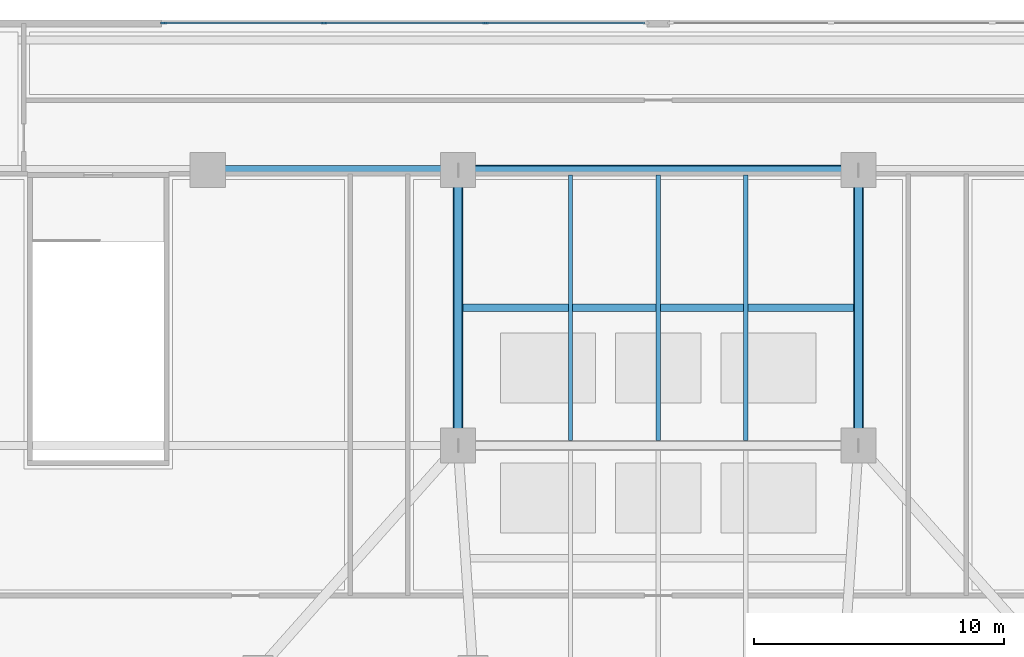
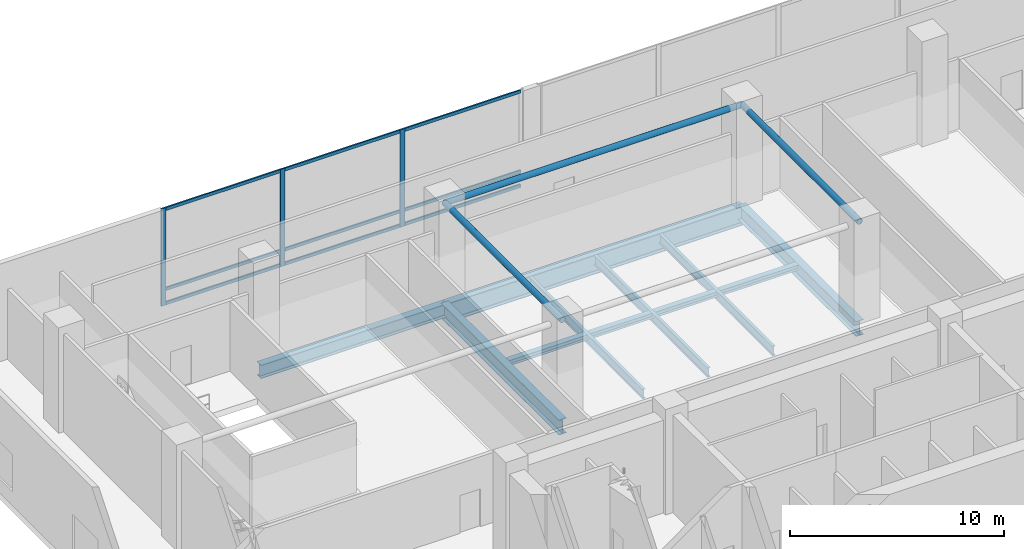
# One storey, part 3 of 16: 15 members, 8 beams, 1 element without a shape of its own.
"""IFC4 building model written with IfcOpenShell, lengths in metres."""

from ifc_helpers import new_model, si_unit, direction, frame, origin, origin_2d, place, context, subcontext, project, spatial, rectangle, hollow_circle, i_section, extrude, material, material_profile, profile_set, type_object, element, aggregate, save


model = new_model("IFC4")

# Units and contexts
model_context = context("Model", 3, precision=1e-05, world=origin(), true_north=direction((0.0, 1.0)))
body_context = subcontext(model_context, "Body", "Model", "MODEL_VIEW")
ifc_project = project(units=[si_unit("LENGTHUNIT", "METRE"), si_unit("AREAUNIT", "SQUARE_METRE"), si_unit("VOLUMEUNIT", "CUBIC_METRE"), si_unit("PLANEANGLEUNIT", "RADIAN"), si_unit("MASSUNIT", "GRAM", prefix="KILO")], contexts=[model_context])

# Site, building, storey
site_placement = place(None, origin())
site = spatial("IfcSite", under=ifc_project, at=site_placement, CompositionType="ELEMENT")
building_placement = place(site_placement, origin())
building = spatial("IfcBuilding", under=site, at=building_placement, Name="Solmavex Isthmus Hotel", CompositionType="ELEMENT")
storey_placement = place(building_placement, frame((0.0, 0.0, 20.39990234375)))
storey = spatial("IfcBuildingStorey", under=building, at=storey_placement, Name="L05", CompositionType="ELEMENT", Elevation=20.39990234375)

# Beams
ifc_material_1 = material(Name="Steel ASTM A992 Grade 50", Category="steel")
ifc_material_profile_1 = material_profile(ifc_material_1, i_section(OverallWidth=0.380615234375, OverallDepth=0.773193359375, WebThickness=0.0166015625, FlangeThickness=0.027099609375, FilletRadius=0.01904296875, at=origin_2d()), Name="W30X173")
ifc_profile_set_1 = profile_set([ifc_material_profile_1], Name="Steel ASTM A992 Grade 50")
beam_type_1 = type_object("IfcBeamType", Name="BM-BG-W30X173", PredefinedType="BEAM", material=ifc_profile_set_1)
beam_1_placement = place(storey_placement, frame((-18.0, 17.5, -0.736572265625), z_axis=(1.0, 0.0, 0.0), x_axis=(0.0, 1.0, 0.0)))
element("IfcBeam", 1, at=beam_1_placement, inside=storey, type_object=beam_type_1, Name="Podium Primary Girder L05-G08", PredefinedType="BEAM", context=body_context, shape_type="SweptSolid", body=[
    extrude(i_section(OverallWidth=0.380615234375, OverallDepth=0.773193359375, WebThickness=0.0166015625, FlangeThickness=0.027099609375, FilletRadius=0.01904296875, at=origin_2d()), origin(), (0.0, 0.0, 1.0), 10.0),
])
ifc_material_profile_2 = material_profile(ifc_material_1, i_section(OverallWidth=0.39990234375, OverallDepth=0.85546875, WebThickness=0.018310546875, FlangeThickness=0.029296875, FilletRadius=0.020263671875, at=origin_2d()), Name="W33X201")
ifc_profile_set_2 = profile_set([ifc_material_profile_2], Name="Steel ASTM A992 Grade 50")
beam_type_2 = type_object("IfcBeamType", Name="BM-BG-W33X201", PredefinedType="BEAM", material=ifc_profile_set_2)
for number, where, z_axis, x_axis, name in (
    (2, (-8.0, 6.5, -0.777587890625), (0.0, 1.0, 0.0), (-1.0, 0.0, 0.0), "Podium Primary Girder L05-G29"),
    (3, (8.0, 6.5, -0.777587890625), (0.0, 1.0, 0.0), (-1.0, 0.0, 0.0), "Podium Primary Girder L05-G30"),
):
    element("IfcBeam", number, at=place(storey_placement, frame(where, z_axis=z_axis, x_axis=x_axis)), inside=storey, type_object=beam_type_2, Name=name, PredefinedType="BEAM", context=body_context, shape_type="SweptSolid", body=[
        extrude(i_section(OverallWidth=0.39990234375, OverallDepth=0.85546875, WebThickness=0.018310546875, FlangeThickness=0.029296875, FilletRadius=0.020263671875, at=origin_2d()), origin(), (0.0, 0.0, 1.0), 11.0),
    ])
ifc_material_profile_3 = material_profile(ifc_material_1, i_section(OverallWidth=0.16650390625, OverallDepth=0.534912109375, WebThickness=0.01025390625, FlangeThickness=0.0166015625, FilletRadius=0.013916015625, at=origin_2d()), Name="W21X57")
ifc_profile_set_3 = profile_set([ifc_material_profile_3], Name="Steel ASTM A992 Grade 50")
beam_type_3 = type_object("IfcBeamType", Name="BM-BJ-W21X57", PredefinedType="JOIST", material=ifc_profile_set_3)
for number, where, z_axis, x_axis, name in (
    (4, (-3.5, 6.70068359375, -0.617431640625), (0.0, 1.0, 0.0), (-1.0, 0.0, 0.0), "Podium Composite Floor Joist L05-J06"),
    (5, (0.0, 6.70068359375, -0.617431640625), (0.0, 1.0, 0.0), (-1.0, 0.0, 0.0), "Podium Composite Floor Joist L05-J09"),
    (6, (3.5, 6.70068359375, -0.617431640625), (0.0, 1.0, 0.0), (-1.0, 0.0, 0.0), "Podium Composite Floor Joist L05-J12"),
):
    element("IfcBeam", number, at=place(storey_placement, frame(where, z_axis=z_axis, x_axis=x_axis)), inside=storey, type_object=beam_type_3, Name=name, PredefinedType="JOIST", context=body_context, shape_type="SweptSolid", body=[
        extrude(i_section(OverallWidth=0.16650390625, OverallDepth=0.534912109375, WebThickness=0.01025390625, FlangeThickness=0.0166015625, FilletRadius=0.013916015625, at=origin_2d()), origin(), (0.0, 0.0, 1.0), 10.5986328125),
    ])
ifc_material_profile_4 = material_profile(ifc_material_1, i_section(OverallWidth=0.3046875, OverallDepth=0.307861328125, WebThickness=0.010009765625, FlangeThickness=0.015380859375, FilletRadius=0.01513671875, at=origin_2d()), Name="W12X65")
ifc_profile_set_4 = profile_set([ifc_material_profile_4], Name="Steel ASTM A992 Grade 50")
beam_type_4 = type_object("IfcBeamType", Name="BM-BM-W12X65", PredefinedType="BEAM", material=ifc_profile_set_4)
beam_2_placement = place(storey_placement, frame((-7.81005859375, 12.0, -0.50390625), z_axis=(1.0, 0.0, 0.0), x_axis=(0.0, 1.0, 0.0)))
element("IfcBeam", 7, at=beam_2_placement, inside=storey, type_object=beam_type_4, Name="Atrium Skylight Beam SKB-2", PredefinedType="BEAM", context=body_context, shape_type="SweptSolid", body=[
    extrude(i_section(OverallWidth=0.3046875, OverallDepth=0.307861328125, WebThickness=0.010009765625, FlangeThickness=0.015380859375, FilletRadius=0.01513671875, at=origin_2d()), origin(), (0.0, 0.0, 1.0), 15.6201171875),
])
ifc_material_2 = material(Name="Steel ASTM A913 Grade 65", Category="steel")
ifc_material_profile_5 = material_profile(ifc_material_2, i_section(OverallWidth=0.4013671875, OverallDepth=1.107421875, WebThickness=0.02197265625, FlangeThickness=0.0400390625, FilletRadius=0.030517578125, at=origin_2d()), Name="W44X290")
ifc_profile_set_5 = profile_set([ifc_material_profile_5], Name="Steel ASTM A913 Grade 65")
beam_type_5 = type_object("IfcBeamType", Name="BM-TB-W44X290", PredefinedType="BEAM", material=ifc_profile_set_5)
beam_3_placement = place(storey_placement, frame((-8.0, 17.5, -0.903564453125), z_axis=(1.0, 0.0, 0.0), x_axis=(0.0, 1.0, 0.0)))
element("IfcBeam", 8, at=beam_3_placement, inside=storey, type_object=beam_type_5, Name="Podium Primary Girder L05-G09", PredefinedType="BEAM", context=body_context, shape_type="SweptSolid", body=[
    extrude(i_section(OverallWidth=0.4013671875, OverallDepth=1.107421875, WebThickness=0.02197265625, FlangeThickness=0.0400390625, FilletRadius=0.030517578125, at=origin_2d()), origin(), (0.0, 0.0, 1.0), 16.0),
])

# Curtain wall, members
ifc_material_3 = material(Name="Aluminium alloy 6063-T6", Category="aluminium")
curtain_wall_type = type_object("IfcCurtainWallType", Name="CW-SYS-01", PredefinedType="NOTDEFINED", material=ifc_material_3)
curtain_wall_placement = place(storey_placement, origin())
curtain_wall = element("IfcCurtainWall", 9, at=curtain_wall_placement, inside=storey, type_object=curtain_wall_type, Name="Stick Curtain Wall CWL-L05-NW", PredefinedType="NOTDEFINED")
ifc_material_profile_6 = material_profile(ifc_material_3, rectangle(XDim=0.080078125, YDim=0.25, at=origin_2d()), Name="CWM-80X250")
ifc_profile_set_6 = profile_set([ifc_material_profile_6], Name="Aluminium alloy 6063-T6")
member_type_1 = type_object("IfcMemberType", Name="CW-SYS-01-MUL", PredefinedType="MULLION", material=ifc_profile_set_6)
member_1_placement = place(storey_placement, frame((-19.760009765625, 23.3798828125, 0.0), z_axis=(0.0, 0.0, 1.0), x_axis=(0.0, 1.0, 0.0)))
member_1 = element("IfcMember", 10, at=member_1_placement, type_object=member_type_1, Name="CW-01 mullion 1", PredefinedType="MULLION", context=body_context, shape_type="SweptSolid", body=[
    extrude(rectangle(XDim=0.080078125, YDim=0.25, at=origin_2d()), origin(), (0.0, 0.0, 1.0), 5.550048828125),
])
member_2_placement = place(storey_placement, frame((-13.35009765625, 23.3798828125, 0.0), z_axis=(0.0, 0.0, 1.0), x_axis=(0.0, 1.0, 0.0)))
member_2 = element("IfcMember", 11, at=member_2_placement, type_object=member_type_1, Name="CW-01 mullion 2", PredefinedType="MULLION", context=body_context, shape_type="SweptSolid", body=[
    extrude(rectangle(XDim=0.080078125, YDim=0.25, at=origin_2d()), origin(), (0.0, 0.0, 1.0), 5.550048828125),
])
member_3_placement = place(storey_placement, frame((-6.89990234375, 23.3798828125, 0.0), z_axis=(0.0, 0.0, 1.0), x_axis=(0.0, 1.0, 0.0)))
member_3 = element("IfcMember", 12, at=member_3_placement, type_object=member_type_1, Name="CW-01 mullion 3", PredefinedType="MULLION", context=body_context, shape_type="SweptSolid", body=[
    extrude(rectangle(XDim=0.080078125, YDim=0.25, at=origin_2d()), origin(), (0.0, 0.0, 1.0), 5.550048828125),
])
ifc_material_profile_7 = material_profile(ifc_material_3, rectangle(XDim=0.080078125, YDim=0.179931640625, at=origin_2d()), Name="CWT-80X180")
ifc_profile_set_7 = profile_set([ifc_material_profile_7], Name="Aluminium alloy 6063-T6")
member_type_2 = type_object("IfcMemberType", Name="CW-SYS-01-TRN", PredefinedType="USERDEFINED", material=ifc_profile_set_7)
member_4_placement = place(storey_placement, frame((-19.719970703125, 23.3798828125, 0.090087890625), z_axis=(1.0, 0.0, 0.0), x_axis=(0.0, 1.0, 0.0)))
member_4 = element("IfcMember", 13, at=member_4_placement, type_object=member_type_2, Name="CW-01 transom 1.1", ObjectType="TRANSOM", PredefinedType="USERDEFINED", context=body_context, shape_type="SweptSolid", body=[
    extrude(rectangle(XDim=0.080078125, YDim=0.179931640625, at=origin_2d()), origin(), (0.0, 0.0, 1.0), 6.330078125),
])
member_5_placement = place(storey_placement, frame((-19.719970703125, 23.3798828125, 0.900146484375), z_axis=(1.0, 0.0, 0.0), x_axis=(0.0, 1.0, 0.0)))
member_5 = element("IfcMember", 14, at=member_5_placement, type_object=member_type_2, Name="CW-01 transom 1.2", ObjectType="TRANSOM", PredefinedType="USERDEFINED", context=body_context, shape_type="SweptSolid", body=[
    extrude(rectangle(XDim=0.080078125, YDim=0.179931640625, at=origin_2d()), origin(), (0.0, 0.0, 1.0), 6.330078125),
])
member_6_placement = place(storey_placement, frame((-19.719970703125, 23.3798828125, 5.460205078125), z_axis=(1.0, 0.0, 0.0), x_axis=(0.0, 1.0, 0.0)))
member_6 = element("IfcMember", 15, at=member_6_placement, type_object=member_type_2, Name="CW-01 transom 1.3", ObjectType="TRANSOM", PredefinedType="USERDEFINED", context=body_context, shape_type="SweptSolid", body=[
    extrude(rectangle(XDim=0.080078125, YDim=0.179931640625, at=origin_2d()), origin(), (0.0, 0.0, 1.0), 6.330078125),
])
member_7_placement = place(storey_placement, frame((-13.31005859375, 23.3798828125, 0.090087890625), z_axis=(1.0, 0.0, 0.0), x_axis=(0.0, 1.0, 0.0)))
member_7 = element("IfcMember", 16, at=member_7_placement, type_object=member_type_2, Name="CW-01 transom 2.1", ObjectType="TRANSOM", PredefinedType="USERDEFINED", context=body_context, shape_type="SweptSolid", body=[
    extrude(rectangle(XDim=0.080078125, YDim=0.179931640625, at=origin_2d()), origin(), (0.0, 0.0, 1.0), 6.3701171875),
])
member_8_placement = place(storey_placement, frame((-13.31005859375, 23.3798828125, 0.900146484375), z_axis=(1.0, 0.0, 0.0), x_axis=(0.0, 1.0, 0.0)))
member_8 = element("IfcMember", 17, at=member_8_placement, type_object=member_type_2, Name="CW-01 transom 2.2", ObjectType="TRANSOM", PredefinedType="USERDEFINED", context=body_context, shape_type="SweptSolid", body=[
    extrude(rectangle(XDim=0.080078125, YDim=0.179931640625, at=origin_2d()), origin(), (0.0, 0.0, 1.0), 6.3701171875),
])
member_9_placement = place(storey_placement, frame((-13.31005859375, 23.3798828125, 5.460205078125), z_axis=(1.0, 0.0, 0.0), x_axis=(0.0, 1.0, 0.0)))
member_9 = element("IfcMember", 18, at=member_9_placement, type_object=member_type_2, Name="CW-01 transom 2.3", ObjectType="TRANSOM", PredefinedType="USERDEFINED", context=body_context, shape_type="SweptSolid", body=[
    extrude(rectangle(XDim=0.080078125, YDim=0.179931640625, at=origin_2d()), origin(), (0.0, 0.0, 1.0), 6.3701171875),
])
member_10_placement = place(storey_placement, frame((-6.860107421875, 23.3798828125, 0.090087890625), z_axis=(1.0, 0.0, 0.0), x_axis=(0.0, 1.0, 0.0)))
member_10 = element("IfcMember", 19, at=member_10_placement, type_object=member_type_2, Name="CW-01 transom 3.1", ObjectType="TRANSOM", PredefinedType="USERDEFINED", context=body_context, shape_type="SweptSolid", body=[
    extrude(rectangle(XDim=0.080078125, YDim=0.179931640625, at=origin_2d()), origin(), (0.0, 0.0, 1.0), 6.330078125),
])
member_11_placement = place(storey_placement, frame((-6.860107421875, 23.3798828125, 0.900146484375), z_axis=(1.0, 0.0, 0.0), x_axis=(0.0, 1.0, 0.0)))
member_11 = element("IfcMember", 20, at=member_11_placement, type_object=member_type_2, Name="CW-01 transom 3.2", ObjectType="TRANSOM", PredefinedType="USERDEFINED", context=body_context, shape_type="SweptSolid", body=[
    extrude(rectangle(XDim=0.080078125, YDim=0.179931640625, at=origin_2d()), origin(), (0.0, 0.0, 1.0), 6.330078125),
])
member_12_placement = place(storey_placement, frame((-6.860107421875, 23.3798828125, 5.460205078125), z_axis=(1.0, 0.0, 0.0), x_axis=(0.0, 1.0, 0.0)))
member_12 = element("IfcMember", 21, at=member_12_placement, type_object=member_type_2, Name="CW-01 transom 3.3", ObjectType="TRANSOM", PredefinedType="USERDEFINED", context=body_context, shape_type="SweptSolid", body=[
    extrude(rectangle(XDim=0.080078125, YDim=0.179931640625, at=origin_2d()), origin(), (0.0, 0.0, 1.0), 6.330078125),
])
aggregate(curtain_wall, [member_1, member_2, member_3, member_4, member_5, member_6, member_7, member_8, member_9, member_10, member_11, member_12])

# Members
ifc_material_4 = material(Name="Steel ASTM A500 Grade C", Category="steel")
ifc_material_profile_8 = material_profile(ifc_material_4, hollow_circle(Radius=0.161865234375, WallThickness=0.0126953125, at=origin_2d()), Name="CHS324X12")
ifc_profile_set_8 = profile_set([ifc_material_profile_8], Name="Steel ASTM A500 Grade C")
member_type_3 = type_object("IfcMemberType", Name="MEM-CH-324X12", PredefinedType="BRACE", material=ifc_profile_set_8)
for number, where, z_axis, x_axis, name in (
    (22, (-8.0, 6.5, 5.2900390625), (0.0, 1.0, 0.0), (-1.0, 0.0, 0.0), "Atrium Skylight Hollow Collar Brace CH-01"),
    (23, (8.0, 6.5, 5.2900390625), (0.0, 1.0, 0.0), (-1.0, 0.0, 0.0), "Atrium Skylight Hollow Collar Brace CH-02"),
):
    element("IfcMember", number, at=place(storey_placement, frame(where, z_axis=z_axis, x_axis=x_axis)), inside=storey, type_object=member_type_3, Name=name, PredefinedType="BRACE", context=body_context, shape_type="SweptSolid", body=[
        extrude(hollow_circle(Radius=0.161865234375, WallThickness=0.0126953125, at=origin_2d()), origin(), (0.0, 0.0, 1.0), 11.0),
    ])
member_13_placement = place(storey_placement, frame((-8.0, 17.5, 5.2900390625), z_axis=(1.0, 0.0, 0.0), x_axis=(0.0, 1.0, 0.0)))
element("IfcMember", 24, at=member_13_placement, inside=storey, type_object=member_type_3, Name="Atrium Skylight Hollow Collar Brace CH-04", PredefinedType="BRACE", context=body_context, shape_type="SweptSolid", body=[
    extrude(hollow_circle(Radius=0.161865234375, WallThickness=0.0126953125, at=origin_2d()), origin(), (0.0, 0.0, 1.0), 16.0),
])

save(model, "model.ifc")
